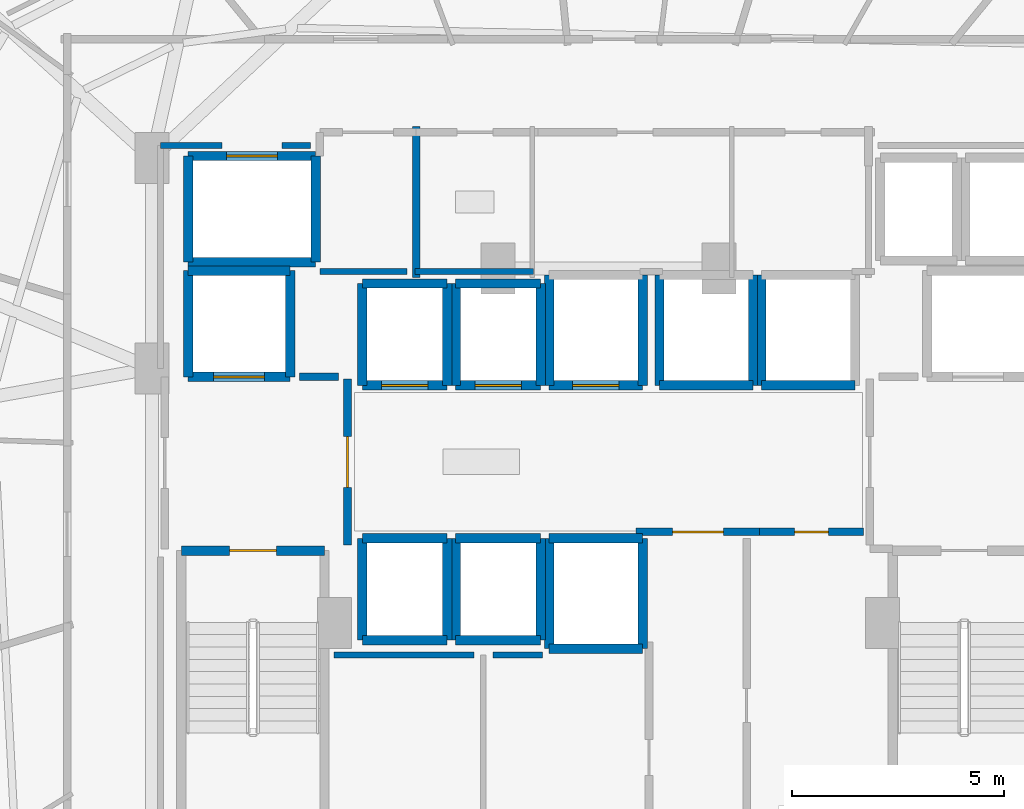
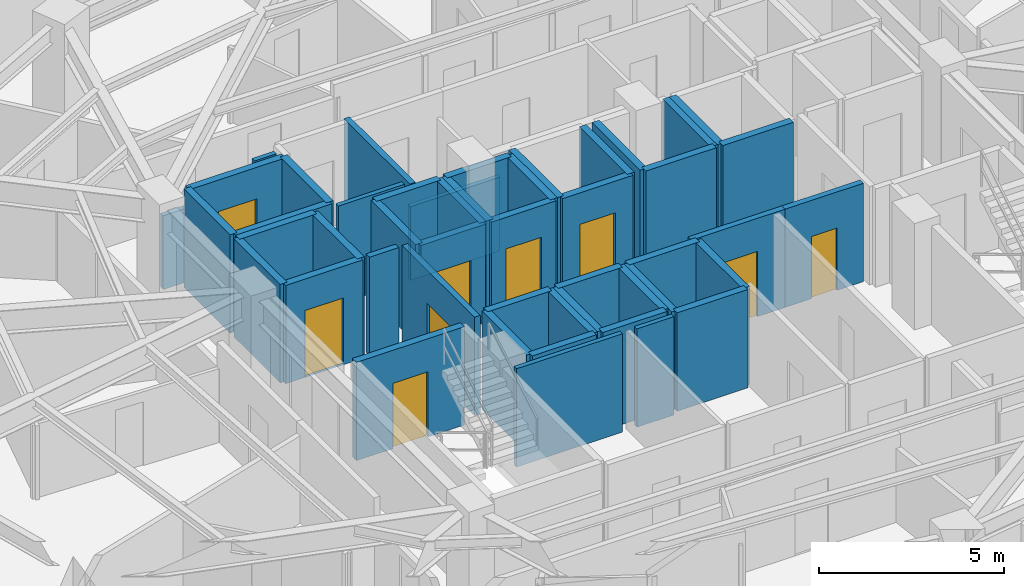
# One storey, part 23 of 29: 48 walls, 9 doors, 9 openings.
"""IFC4 building model written with IfcOpenShell, lengths in metres."""

from ifc_helpers import new_model, si_unit, direction, frame, frame_2d, origin, place, context, subcontext, project, spatial, rectangle, extrude, material, layer, layer_set, type_object, element, fill, save


model = new_model("IFC4")

# Units and contexts
model_context = context("Model", 3, precision=1e-05, world=origin(), true_north=direction((0.0, 1.0)))
body_context = subcontext(model_context, "Body", "Model", "MODEL_VIEW")
ifc_project = project(units=[si_unit("LENGTHUNIT", "METRE"), si_unit("AREAUNIT", "SQUARE_METRE"), si_unit("VOLUMEUNIT", "CUBIC_METRE"), si_unit("PLANEANGLEUNIT", "RADIAN"), si_unit("MASSUNIT", "GRAM", prefix="KILO")], contexts=[model_context])

# Site, building, storey
site_placement = place(None, origin())
site = spatial("IfcSite", under=ifc_project, at=site_placement, CompositionType="ELEMENT")
building_placement = place(site_placement, origin())
building = spatial("IfcBuilding", under=site, at=building_placement, Name="Vorneva Point Tower", CompositionType="ELEMENT")
storey_placement = place(building_placement, frame((0.0, 0.0, 117.300048828125)))
storey = spatial("IfcBuildingStorey", under=building, at=storey_placement, Name="L31", CompositionType="ELEMENT", Elevation=117.300048828125)

# Wall, opening, door
ifc_material_1 = material(Name="Concrete B60 (C50/60)", Category="concrete")
ifc_layer_1 = layer(ifc_material_1, 0.5)
ifc_layer_set_1 = layer_set([ifc_layer_1], Name="Concrete B60 (C50/60)")
wall_type_1 = type_object("IfcWallType", Name="WL-CORE-500", PredefinedType="SHEAR", material=ifc_layer_set_1)
wall_1_placement = place(storey_placement, frame((28.10009765625, 28.0, 0.0), z_axis=(0.0, 0.0, 1.0), x_axis=(1.0, 0.0, 0.0)))
wall_1 = element("IfcWall", 1, at=wall_1_placement, inside=storey, type_object=wall_type_1, Name="L31 Lift FFL1 Shaft Wall -Y", PredefinedType="SHEAR", context=body_context, shape_type="SweptSolid", body=[
    extrude(rectangle(XDim=2.39990234375, YDim=0.219970703125, at=frame_2d((1.199951171875, 0.0))), origin(), (0.0, 0.0, 1.0), 3.239990234375),
])
opening_1_placement = place(wall_1_placement, frame((0.60009765625, 0.0, 0.0)))
opening_1 = element("IfcOpeningElement", 2, at=opening_1_placement, cuts=wall_1, Name="Opening LD-02", PredefinedType="OPENING", context=body_context, shape_type="SweptSolid", body=[
    extrude(rectangle(XDim=1.199951171875, YDim=2.199951171875, at=frame_2d((0.60009765625, 1.10009765625))), frame((0.0, 0.125, 0.0), z_axis=(0.0, -1.0, 0.0), x_axis=(1.0, 0.0, 0.0)), (0.0, 0.0, 1.0), 0.249755859375),
])
ifc_material_2 = material(Name="Brushed stainless steel S304", Category="steel")
door_type_1 = type_object("IfcDoorType", Name="LD-FIRE-1200", OperationType="SLIDING_TO_LEFT", PredefinedType="DOOR", material=ifc_material_2)
door_1_placement = place(opening_1_placement, origin())
door_1 = element("IfcDoor", 3, at=door_1_placement, inside=storey, type_object=door_type_1, Name="L31 Lift FFL1 Sliding Landing Door", OperationType="SLIDING_TO_LEFT", OverallHeight=2.199951171875, OverallWidth=1.199951171875, PredefinedType="DOOR", context=body_context, shape_type="SweptSolid", body=[
    extrude(rectangle(XDim=1.199951171875, YDim=2.199951171875, at=frame_2d((0.60009765625, 1.10009765625))), frame((0.0, 0.02490234375, 0.0), z_axis=(0.0, -1.0, 0.0), x_axis=(1.0, 0.0, 0.0)), (0.0, 0.0, 1.0), 0.050048828125),
])
fill(opening_1, door_1)

# Walls
wall_2_placement = place(storey_placement, frame((30.5, 28.0, 0.0), z_axis=(0.0, 0.0, 1.0), x_axis=(0.0, 1.0, 0.0)))
element("IfcWall", 4, at=wall_2_placement, inside=storey, type_object=wall_type_1, Name="L31 Lift FFL1 Shaft Wall +X", PredefinedType="SHEAR", context=body_context, shape_type="SweptSolid", body=[
    extrude(rectangle(XDim=2.5, YDim=0.219970703125, at=frame_2d((1.25, 0.0))), origin(), (0.0, 0.0, 1.0), 3.239990234375),
])
wall_3_placement = place(storey_placement, frame((30.5, 30.5, 0.0), z_axis=(0.0, 0.0, 1.0), x_axis=(-1.0, 0.0, 0.0)))
element("IfcWall", 5, at=wall_3_placement, inside=storey, type_object=wall_type_1, Name="L31 Lift FFL1 Shaft Wall +Y", PredefinedType="SHEAR", context=body_context, shape_type="SweptSolid", body=[
    extrude(rectangle(XDim=2.39990234375, YDim=0.219970703125, at=frame_2d((1.199951171875, 0.0))), origin(), (0.0, 0.0, 1.0), 3.239990234375),
])
wall_4_placement = place(storey_placement, frame((28.10009765625, 30.5, 0.0), z_axis=(0.0, 0.0, 1.0), x_axis=(0.0, -1.0, 0.0)))
element("IfcWall", 6, at=wall_4_placement, inside=storey, type_object=wall_type_1, Name="L31 Lift FFL1 Shaft Wall -X", PredefinedType="SHEAR", context=body_context, shape_type="SweptSolid", body=[
    extrude(rectangle(XDim=2.5, YDim=0.219970703125, at=frame_2d((1.25, 0.0))), origin(), (0.0, 0.0, 1.0), 3.239990234375),
])
ifc_material_3 = material(Name="Fire-rated acoustic gypsum stud partition", Category="gypsum")
ifc_layer_2 = layer(ifc_material_3, 0.139892578125)
ifc_layer_set_2 = layer_set([ifc_layer_2], Name="Fire-rated acoustic gypsum stud partition")
wall_type_2 = type_object("IfcWallType", Name="WL-PART-140", PredefinedType="PARTITIONING", material=ifc_layer_set_2)
wall_5_placement = place(storey_placement, frame((31.199951171875, 30.47998046875, 0.0), z_axis=(0.0, 0.0, 1.0), x_axis=(1.0, 0.0, 0.0)))
element("IfcWall", 7, at=wall_5_placement, inside=storey, type_object=wall_type_2, Name="L31 Interior Closure Partition 092", PredefinedType="PARTITIONING", context=body_context, shape_type="SweptSolid", body=[
    extrude(rectangle(XDim=2.050048828125, YDim=0.139892578125, at=frame_2d((1.02490234375, 0.0))), origin(), (0.0, 0.0, 1.0), 3.239990234375),
])
wall_6_placement = place(storey_placement, frame((33.43994140625, 30.47998046875, 0.0), z_axis=(0.0, 0.0, 1.0), x_axis=(1.0, 0.0, 0.0)))
element("IfcWall", 8, at=wall_6_placement, inside=storey, type_object=wall_type_2, Name="L31 Interior Closure Partition 093", PredefinedType="PARTITIONING", context=body_context, shape_type="SweptSolid", body=[
    extrude(rectangle(XDim=2.7900390625, YDim=0.139892578125, at=frame_2d((1.39501953125, 0.0))), origin(), (0.0, 0.0, 1.0), 2.431884765625),
])
wall_7_placement = place(storey_placement, frame((34.830078125, 21.449951171875, 0.0), z_axis=(0.0, 0.0, 1.0), x_axis=(-1.0, 0.0, 0.0)))
element("IfcWall", 9, at=wall_7_placement, inside=storey, type_object=wall_type_2, Name="L31 Interior Closure Partition 097", PredefinedType="PARTITIONING", context=body_context, shape_type="SweptSolid", body=[
    extrude(rectangle(XDim=3.300048828125, YDim=0.139892578125, at=frame_2d((1.64990234375, 0.0))), origin(), (0.0, 0.0, 1.0), 3.239990234375),
])
wall_8_placement = place(storey_placement, frame((36.43896484375, 21.449951171875, 0.0), z_axis=(0.0, 0.0, 1.0), x_axis=(-1.0, 0.0, 0.0)))
element("IfcWall", 10, at=wall_8_placement, inside=storey, type_object=wall_type_2, Name="L31 Interior Closure Partition 098", PredefinedType="PARTITIONING", context=body_context, shape_type="SweptSolid", body=[
    extrude(rectangle(XDim=1.158935546875, YDim=0.139892578125, at=frame_2d((0.57958984375, 0.0))), origin(), (0.0, 0.0, 1.0), 3.239990234375),
])
wall_9_placement = place(storey_placement, frame((27.449951171875, 33.449951171875, 0.0), z_axis=(0.0, 0.0, 1.0), x_axis=(1.0, 0.0, 0.0)))
element("IfcWall", 11, at=wall_9_placement, inside=storey, type_object=wall_type_2, Name="L31 Interior Closure Partition 106", PredefinedType="PARTITIONING", context=body_context, shape_type="SweptSolid", body=[
    extrude(rectangle(XDim=1.444091796875, YDim=0.139892578125, at=frame_2d((0.72216796875, 0.0))), origin(), (0.0, 0.0, 1.0), 2.431884765625),
])
wall_10_placement = place(storey_placement, frame((30.305908203125, 33.449951171875, 0.0), z_axis=(0.0, 0.0, 1.0), x_axis=(1.0, 0.0, 0.0)))
element("IfcWall", 12, at=wall_10_placement, inside=storey, type_object=wall_type_2, Name="L31 Interior Closure Partition 107", PredefinedType="PARTITIONING", context=body_context, shape_type="SweptSolid", body=[
    extrude(rectangle(XDim=0.674072265625, YDim=0.139892578125, at=frame_2d((0.3369140625, 0.0))), origin(), (0.0, 0.0, 1.0), 3.239990234375),
])

# Wall, opening, door
ifc_material_4 = material(Name="Autoclaved aerated concrete blockwork", Category="masonry")
ifc_layer_3 = layer(ifc_material_4, 0.179931640625)
ifc_layer_set_3 = layer_set([ifc_layer_3], Name="Autoclaved aerated concrete blockwork")
wall_type_3 = type_object("IfcWallType", Name="WL-PART-180", PredefinedType="PARTITIONING", material=ifc_layer_set_3)
wall_11_placement = place(storey_placement, frame((31.85009765625, 24.044921875, 0.0), z_axis=(0.0, 0.0, 1.0), x_axis=(0.0, 1.0, 0.0)))
wall_11 = element("IfcWall", 13, at=wall_11_placement, inside=storey, type_object=wall_type_3, Name="L31 Interior Partition 001", PredefinedType="PARTITIONING", context=body_context, shape_type="SweptSolid", body=[
    extrude(rectangle(XDim=3.91015625, YDim=0.179931640625, at=frame_2d((1.955078125, 0.0))), origin(), (0.0, 0.0, 1.0), 3.239990234375),
])
opening_2_placement = place(wall_11_placement, frame((1.35498046875, 0.0, 0.0)))
opening_2 = element("IfcOpeningElement", 14, at=opening_2_placement, cuts=wall_11, Name="Opening FD-02", PredefinedType="OPENING", context=body_context, shape_type="SweptSolid", body=[
    extrude(rectangle(XDim=1.199951171875, YDim=2.14990234375, at=frame_2d((0.60009765625, 1.074951171875))), frame((0.0, 0.10498046875, 0.0), z_axis=(0.0, -1.0, 0.0), x_axis=(1.0, 0.0, 0.0)), (0.0, 0.0, 1.0), 0.209716796875),
])
ifc_material_5 = material(Name="Fire-rated powder-coated steel", Category="steel")
door_type_2 = type_object("IfcDoorType", Name="DR-FFL-1200", OperationType="NOTDEFINED", PredefinedType="DOOR", material=ifc_material_5)
door_2_placement = place(opening_2_placement, origin())
door_2 = element("IfcDoor", 15, at=door_2_placement, inside=storey, type_object=door_type_2, Name="L31 Door West Firefighting Lobby / Central Lift Lobby", OperationType="SINGLE_SWING_RIGHT", OverallHeight=2.14990234375, OverallWidth=1.199951171875, PredefinedType="DOOR", context=body_context, shape_type="SweptSolid", body=[
    extrude(rectangle(XDim=1.199951171875, YDim=2.14990234375, at=frame_2d((0.60009765625, 1.074951171875))), frame((0.0, 0.02490234375, 0.0), z_axis=(0.0, -1.0, 0.0), x_axis=(1.0, 0.0, 0.0)), (0.0, 0.0, 1.0), 0.050048828125),
])
fill(opening_2, door_2)

# Wall
wall_12_placement = place(storey_placement, frame((33.469970703125, 30.340087890625, 0.0), z_axis=(0.0, 0.0, 1.0), x_axis=(0.0, 1.0, 0.0)))
element("IfcWall", 16, at=wall_12_placement, inside=storey, type_object=wall_type_3, Name="L31 Interior Partition 006", PredefinedType="PARTITIONING", context=body_context, shape_type="SweptSolid", body=[
    extrude(rectangle(XDim=3.559814453125, YDim=0.179931640625, at=frame_2d((1.77978515625, 0.0))), origin(), (0.0, 0.0, 1.0), 3.239990234375),
])

# Wall, opening, door
wall_13_placement = place(storey_placement, frame((38.64501953125, 24.35009765625, 0.0), z_axis=(0.0, 0.0, 1.0), x_axis=(1.0, 0.0, 0.0)))
wall_13 = element("IfcWall", 17, at=wall_13_placement, inside=storey, type_object=wall_type_3, Name="L31 Interior Partition 009", PredefinedType="PARTITIONING", context=body_context, shape_type="SweptSolid", body=[
    extrude(rectangle(XDim=2.909912109375, YDim=0.179931640625, at=frame_2d((1.455078125, 0.0))), origin(), (0.0, 0.0, 1.0), 3.239990234375),
])
opening_3_placement = place(wall_13_placement, frame((0.85498046875, 0.0, 0.0)))
opening_3 = element("IfcOpeningElement", 18, at=opening_3_placement, cuts=wall_13, Name="Opening FD-02", PredefinedType="OPENING", context=body_context, shape_type="SweptSolid", body=[
    extrude(rectangle(XDim=1.199951171875, YDim=2.14990234375, at=frame_2d((0.60009765625, 1.074951171875))), frame((0.0, 0.10498046875, 0.0), z_axis=(0.0, -1.0, 0.0), x_axis=(1.0, 0.0, 0.0)), (0.0, 0.0, 1.0), 0.209716796875),
])
door_3_placement = place(opening_3_placement, origin())
door_3 = element("IfcDoor", 19, at=door_3_placement, inside=storey, type_object=door_type_2, Name="L31 Door Central Lift Lobby / Core Service Lobby", OperationType="SINGLE_SWING_LEFT", OverallHeight=2.14990234375, OverallWidth=1.199951171875, PredefinedType="DOOR", context=body_context, shape_type="SweptSolid", body=[
    extrude(rectangle(XDim=1.199951171875, YDim=2.14990234375, at=frame_2d((0.60009765625, 1.074951171875))), frame((0.0, 0.02490234375, 0.0), z_axis=(0.0, -1.0, 0.0), x_axis=(1.0, 0.0, 0.0)), (0.0, 0.0, 1.0), 0.050048828125),
])
fill(opening_3, door_3)

wall_14_placement = place(storey_placement, frame((41.554931640625, 24.35009765625, 0.0), z_axis=(0.0, 0.0, 1.0), x_axis=(1.0, 0.0, 0.0)))
wall_14 = element("IfcWall", 20, at=wall_14_placement, inside=storey, type_object=wall_type_3, Name="L31 Interior Partition 010", PredefinedType="PARTITIONING", context=body_context, shape_type="SweptSolid", body=[
    extrude(rectangle(XDim=2.445068359375, YDim=0.179931640625, at=frame_2d((1.22265625, 0.0))), origin(), (0.0, 0.0, 1.0), 3.239990234375),
])
opening_4_placement = place(wall_14_placement, frame((0.822509765625, 0.0, 0.0)))
opening_4 = element("IfcOpeningElement", 21, at=opening_4_placement, cuts=wall_14, Name="Opening RD-01", PredefinedType="OPENING", context=body_context, shape_type="SweptSolid", body=[
    extrude(rectangle(XDim=0.800048828125, YDim=2.050048828125, at=frame_2d((0.39990234375, 1.02490234375))), frame((0.0, 0.10498046875, 0.0), z_axis=(0.0, -1.0, 0.0), x_axis=(1.0, 0.0, 0.0)), (0.0, 0.0, 1.0), 0.209716796875),
])
door_type_3 = type_object("IfcDoorType", Name="DR-RSR-800", OperationType="SINGLE_SWING_LEFT", PredefinedType="DOOR", material=ifc_material_5)
door_4_placement = place(opening_4_placement, origin())
door_4 = element("IfcDoor", 22, at=door_4_placement, inside=storey, type_object=door_type_3, Name="L31 Door Central Lift Lobby / Electrical Riser", OperationType="SINGLE_SWING_RIGHT", OverallHeight=2.050048828125, OverallWidth=0.800048828125, PredefinedType="DOOR", context=body_context, shape_type="SweptSolid", body=[
    extrude(rectangle(XDim=0.800048828125, YDim=2.050048828125, at=frame_2d((0.39990234375, 1.02490234375))), frame((0.0, 0.02490234375, 0.0), z_axis=(0.0, -1.0, 0.0), x_axis=(1.0, 0.0, 0.0)), (0.0, 0.0, 1.0), 0.050048828125),
])
fill(opening_4, door_4)

# Wall
wall_15_placement = place(storey_placement, frame((31.635009765625, 28.0, 0.0), z_axis=(0.0, 0.0, 1.0), x_axis=(-1.0, 0.0, 0.0)))
element("IfcWall", 23, at=wall_15_placement, inside=storey, type_object=wall_type_3, Name="L31 Interior Closure Partition 090", PredefinedType="PARTITIONING", context=body_context, shape_type="SweptSolid", body=[
    extrude(rectangle(XDim=0.9150390625, YDim=0.179931640625, at=frame_2d((0.45751953125, 0.0))), origin(), (0.0, 0.0, 1.0), 3.239990234375),
])

# Wall, opening, door
ifc_material_6 = material(Name="Concrete B50 (C40/50)", Category="concrete")
ifc_layer_4 = layer(ifc_material_6, 0.219970703125)
ifc_layer_set_4 = layer_set([ifc_layer_4], Name="Concrete B50 (C40/50)")
wall_type_4 = type_object("IfcWallType", Name="WL-SHFT-220", PredefinedType="SOLIDWALL", material=ifc_layer_set_4)
wall_16_placement = place(storey_placement, frame((27.93994140625, 23.909912109375, 0.0), z_axis=(0.0, 0.0, 1.0), x_axis=(1.0, 0.0, 0.0)))
wall_16 = element("IfcWall", 24, at=wall_16_placement, inside=storey, type_object=wall_type_4, Name="L31 Exit Stair ST1 Shaft Wall near", PredefinedType="SOLIDWALL", context=body_context, shape_type="SweptSolid", body=[
    extrude(rectangle(XDim=3.3701171875, YDim=0.219970703125, at=frame_2d((1.68505859375, 0.0))), origin(), (0.0, 0.0, 1.0), 3.239990234375),
])
opening_5_placement = place(wall_16_placement, frame((1.135009765625, 0.0, 0.0)))
opening_5 = element("IfcOpeningElement", 25, at=opening_5_placement, cuts=wall_16, Name="Opening FD-01", PredefinedType="OPENING", context=body_context, shape_type="SweptSolid", body=[
    extrude(rectangle(XDim=1.10009765625, YDim=2.14990234375, at=frame_2d((0.550048828125, 1.074951171875))), frame((0.0, 0.125, 0.0), z_axis=(0.0, -1.0, 0.0), x_axis=(1.0, 0.0, 0.0)), (0.0, 0.0, 1.0), 0.249755859375),
])
door_type_4 = type_object("IfcDoorType", Name="DR-STAIR-1100", OperationType="NOTDEFINED", PredefinedType="DOOR", material=ifc_material_5)
door_5_placement = place(opening_5_placement, origin())
door_5 = element("IfcDoor", 26, at=door_5_placement, inside=storey, type_object=door_type_4, Name="L31 Exit Stair ST1 Fire Door", OperationType="SINGLE_SWING_LEFT", OverallHeight=2.14990234375, OverallWidth=1.10009765625, PredefinedType="DOOR", context=body_context, shape_type="SweptSolid", body=[
    extrude(rectangle(XDim=1.10009765625, YDim=2.14990234375, at=frame_2d((0.550048828125, 1.074951171875))), frame((0.0, 0.02490234375, 0.0), z_axis=(0.0, -1.0, 0.0), x_axis=(1.0, 0.0, 0.0)), (0.0, 0.0, 1.0), 0.050048828125),
])
fill(opening_5, door_5)

wall_17_placement = place(storey_placement, frame((32.199951171875, 27.800048828125, 0.0), z_axis=(0.0, 0.0, 1.0), x_axis=(1.0, 0.0, 0.0)))
wall_17 = element("IfcWall", 27, at=wall_17_placement, inside=storey, type_object=wall_type_4, Name="L31 Lift PL1 Shaft Wall -Y", PredefinedType="SOLIDWALL", context=body_context, shape_type="SweptSolid", body=[
    extrude(rectangle(XDim=2.0, YDim=0.219970703125, at=frame_2d((1.0, 0.0))), origin(), (0.0, 0.0, 1.0), 3.239990234375),
])
opening_6_placement = place(wall_17_placement, frame((0.449951171875, 0.0, 0.0)))
opening_6 = element("IfcOpeningElement", 28, at=opening_6_placement, cuts=wall_17, Name="Opening LD-01", PredefinedType="OPENING", context=body_context, shape_type="SweptSolid", body=[
    extrude(rectangle(XDim=1.10009765625, YDim=2.199951171875, at=frame_2d((0.550048828125, 1.10009765625))), frame((0.0, 0.125, 0.0), z_axis=(0.0, -1.0, 0.0), x_axis=(1.0, 0.0, 0.0)), (0.0, 0.0, 1.0), 0.249755859375),
])
door_type_5 = type_object("IfcDoorType", Name="LD-PASS-1100", OperationType="SLIDING_TO_LEFT", PredefinedType="DOOR", material=ifc_material_2)
door_6_placement = place(opening_6_placement, origin())
door_6 = element("IfcDoor", 29, at=door_6_placement, inside=storey, type_object=door_type_5, Name="L31 Lift PL1 Sliding Landing Door", OperationType="SLIDING_TO_LEFT", OverallHeight=2.199951171875, OverallWidth=1.10009765625, PredefinedType="DOOR", context=body_context, shape_type="SweptSolid", body=[
    extrude(rectangle(XDim=1.10009765625, YDim=2.199951171875, at=frame_2d((0.550048828125, 1.10009765625))), frame((0.0, 0.02490234375, 0.0), z_axis=(0.0, -1.0, 0.0), x_axis=(1.0, 0.0, 0.0)), (0.0, 0.0, 1.0), 0.050048828125),
])
fill(opening_6, door_6)

# Walls
wall_18_placement = place(storey_placement, frame((34.199951171875, 27.800048828125, 0.0), z_axis=(0.0, 0.0, 1.0), x_axis=(0.0, 1.0, 0.0)))
element("IfcWall", 30, at=wall_18_placement, inside=storey, type_object=wall_type_4, Name="L31 Lift PL1 Shaft Wall +X", PredefinedType="SOLIDWALL", context=body_context, shape_type="SweptSolid", body=[
    extrude(rectangle(XDim=2.39990234375, YDim=0.219970703125, at=frame_2d((1.199951171875, 0.0))), origin(), (0.0, 0.0, 1.0), 3.239990234375),
])
wall_19_placement = place(storey_placement, frame((34.199951171875, 30.199951171875, 0.0), z_axis=(0.0, 0.0, 1.0), x_axis=(-1.0, 0.0, 0.0)))
element("IfcWall", 31, at=wall_19_placement, inside=storey, type_object=wall_type_4, Name="L31 Lift PL1 Shaft Wall +Y", PredefinedType="SOLIDWALL", context=body_context, shape_type="SweptSolid", body=[
    extrude(rectangle(XDim=2.0, YDim=0.219970703125, at=frame_2d((1.0, 0.0))), origin(), (0.0, 0.0, 1.0), 3.239990234375),
])
wall_20_placement = place(storey_placement, frame((32.199951171875, 30.199951171875, 0.0), z_axis=(0.0, 0.0, 1.0), x_axis=(0.0, -1.0, 0.0)))
element("IfcWall", 32, at=wall_20_placement, inside=storey, type_object=wall_type_4, Name="L31 Lift PL1 Shaft Wall -X", PredefinedType="SOLIDWALL", context=body_context, shape_type="SweptSolid", body=[
    extrude(rectangle(XDim=2.39990234375, YDim=0.219970703125, at=frame_2d((1.199951171875, 0.0))), origin(), (0.0, 0.0, 1.0), 3.239990234375),
])

# Wall, opening, door
wall_21_placement = place(storey_placement, frame((34.39990234375, 27.800048828125, 0.0), z_axis=(0.0, 0.0, 1.0), x_axis=(1.0, 0.0, 0.0)))
wall_21 = element("IfcWall", 33, at=wall_21_placement, inside=storey, type_object=wall_type_4, Name="L31 Lift PL2 Shaft Wall -Y", PredefinedType="SOLIDWALL", context=body_context, shape_type="SweptSolid", body=[
    extrude(rectangle(XDim=2.0, YDim=0.219970703125, at=frame_2d((1.0, 0.0))), origin(), (0.0, 0.0, 1.0), 3.239990234375),
])
opening_7_placement = place(wall_21_placement, frame((0.449951171875, 0.0, 0.0)))
opening_7 = element("IfcOpeningElement", 34, at=opening_7_placement, cuts=wall_21, Name="Opening LD-01", PredefinedType="OPENING", context=body_context, shape_type="SweptSolid", body=[
    extrude(rectangle(XDim=1.10009765625, YDim=2.199951171875, at=frame_2d((0.550048828125, 1.10009765625))), frame((0.0, 0.125, 0.0), z_axis=(0.0, -1.0, 0.0), x_axis=(1.0, 0.0, 0.0)), (0.0, 0.0, 1.0), 0.249755859375),
])
door_7_placement = place(opening_7_placement, origin())
door_7 = element("IfcDoor", 35, at=door_7_placement, inside=storey, type_object=door_type_5, Name="L31 Lift PL2 Sliding Landing Door", OperationType="SLIDING_TO_LEFT", OverallHeight=2.199951171875, OverallWidth=1.10009765625, PredefinedType="DOOR", context=body_context, shape_type="SweptSolid", body=[
    extrude(rectangle(XDim=1.10009765625, YDim=2.199951171875, at=frame_2d((0.550048828125, 1.10009765625))), frame((0.0, 0.02490234375, 0.0), z_axis=(0.0, -1.0, 0.0), x_axis=(1.0, 0.0, 0.0)), (0.0, 0.0, 1.0), 0.050048828125),
])
fill(opening_7, door_7)

# Walls
wall_22_placement = place(storey_placement, frame((36.39990234375, 27.800048828125, 0.0), z_axis=(0.0, 0.0, 1.0), x_axis=(0.0, 1.0, 0.0)))
element("IfcWall", 36, at=wall_22_placement, inside=storey, type_object=wall_type_4, Name="L31 Lift PL2 Shaft Wall +X", PredefinedType="SOLIDWALL", context=body_context, shape_type="SweptSolid", body=[
    extrude(rectangle(XDim=2.39990234375, YDim=0.219970703125, at=frame_2d((1.199951171875, 0.0))), origin(), (0.0, 0.0, 1.0), 3.239990234375),
])
wall_23_placement = place(storey_placement, frame((36.39990234375, 30.199951171875, 0.0), z_axis=(0.0, 0.0, 1.0), x_axis=(-1.0, 0.0, 0.0)))
element("IfcWall", 37, at=wall_23_placement, inside=storey, type_object=wall_type_4, Name="L31 Lift PL2 Shaft Wall +Y", PredefinedType="SOLIDWALL", context=body_context, shape_type="SweptSolid", body=[
    extrude(rectangle(XDim=2.0, YDim=0.219970703125, at=frame_2d((1.0, 0.0))), origin(), (0.0, 0.0, 1.0), 3.239990234375),
])
wall_24_placement = place(storey_placement, frame((34.39990234375, 30.199951171875, 0.0), z_axis=(0.0, 0.0, 1.0), x_axis=(0.0, -1.0, 0.0)))
element("IfcWall", 38, at=wall_24_placement, inside=storey, type_object=wall_type_4, Name="L31 Lift PL2 Shaft Wall -X", PredefinedType="SOLIDWALL", context=body_context, shape_type="SweptSolid", body=[
    extrude(rectangle(XDim=2.39990234375, YDim=0.219970703125, at=frame_2d((1.199951171875, 0.0))), origin(), (0.0, 0.0, 1.0), 3.239990234375),
])

# Wall, opening, door
wall_25_placement = place(storey_placement, frame((36.60009765625, 27.800048828125, 0.0), z_axis=(0.0, 0.0, 1.0), x_axis=(1.0, 0.0, 0.0)))
wall_25 = element("IfcWall", 39, at=wall_25_placement, inside=storey, type_object=wall_type_4, Name="L31 Lift PL3 Shaft Wall -Y", PredefinedType="SOLIDWALL", context=body_context, shape_type="SweptSolid", body=[
    extrude(rectangle(XDim=2.199951171875, YDim=0.219970703125, at=frame_2d((1.10009765625, 0.0))), origin(), (0.0, 0.0, 1.0), 3.239990234375),
])
opening_8_placement = place(wall_25_placement, frame((0.550048828125, 0.0, 0.0)))
opening_8 = element("IfcOpeningElement", 40, at=opening_8_placement, cuts=wall_25, Name="Opening LD-01", PredefinedType="OPENING", context=body_context, shape_type="SweptSolid", body=[
    extrude(rectangle(XDim=1.10009765625, YDim=2.199951171875, at=frame_2d((0.550048828125, 1.10009765625))), frame((0.0, 0.125, 0.0), z_axis=(0.0, -1.0, 0.0), x_axis=(1.0, 0.0, 0.0)), (0.0, 0.0, 1.0), 0.249755859375),
])
door_8_placement = place(opening_8_placement, origin())
door_8 = element("IfcDoor", 41, at=door_8_placement, inside=storey, type_object=door_type_5, Name="L31 Lift PL3 Sliding Landing Door", OperationType="SLIDING_TO_LEFT", OverallHeight=2.199951171875, OverallWidth=1.10009765625, PredefinedType="DOOR", context=body_context, shape_type="SweptSolid", body=[
    extrude(rectangle(XDim=1.10009765625, YDim=2.199951171875, at=frame_2d((0.550048828125, 1.10009765625))), frame((0.0, 0.02490234375, 0.0), z_axis=(0.0, -1.0, 0.0), x_axis=(1.0, 0.0, 0.0)), (0.0, 0.0, 1.0), 0.050048828125),
])
fill(opening_8, door_8)

# Walls
for number, where, z_axis, x_axis, name in (
    (42, (38.800048828125, 27.800048828125, 0.0), (0.0, 0.0, 1.0), (0.0, 1.0, 0.0), "L31 Lift PL3 Shaft Wall +X"),
    (43, (36.60009765625, 30.39990234375, 0.0), (0.0, 0.0, 1.0), (0.0, -1.0, 0.0), "L31 Lift PL3 Shaft Wall -X"),
):
    element("IfcWall", number, at=place(storey_placement, frame(where, z_axis=z_axis, x_axis=x_axis)), inside=storey, type_object=wall_type_4, Name=name, PredefinedType="SOLIDWALL", context=body_context, shape_type="SweptSolid", body=[
        extrude(rectangle(XDim=2.599853515625, YDim=0.219970703125, at=frame_2d((1.2998046875, 0.0))), origin(), (0.0, 0.0, 1.0), 3.239990234375),
    ])
wall_26_placement = place(storey_placement, frame((32.199951171875, 21.800048828125, 0.0), z_axis=(0.0, 0.0, 1.0), x_axis=(1.0, 0.0, 0.0)))
element("IfcWall", 44, at=wall_26_placement, inside=storey, type_object=wall_type_4, Name="L31 Lift PL4 Shaft Wall -Y", PredefinedType="SOLIDWALL", context=body_context, shape_type="SweptSolid", body=[
    extrude(rectangle(XDim=2.0, YDim=0.219970703125, at=frame_2d((1.0, 0.0))), origin(), (0.0, 0.0, 1.0), 3.239990234375),
])
wall_27_placement = place(storey_placement, frame((34.199951171875, 21.800048828125, 0.0), z_axis=(0.0, 0.0, 1.0), x_axis=(0.0, 1.0, 0.0)))
element("IfcWall", 45, at=wall_27_placement, inside=storey, type_object=wall_type_4, Name="L31 Lift PL4 Shaft Wall +X", PredefinedType="SOLIDWALL", context=body_context, shape_type="SweptSolid", body=[
    extrude(rectangle(XDim=2.39990234375, YDim=0.219970703125, at=frame_2d((1.199951171875, 0.0))), origin(), (0.0, 0.0, 1.0), 3.239990234375),
])
wall_28_placement = place(storey_placement, frame((34.199951171875, 24.199951171875, 0.0), z_axis=(0.0, 0.0, 1.0), x_axis=(-1.0, 0.0, 0.0)))
element("IfcWall", 46, at=wall_28_placement, inside=storey, type_object=wall_type_4, Name="L31 Lift PL4 Shaft Wall +Y", PredefinedType="SOLIDWALL", context=body_context, shape_type="SweptSolid", body=[
    extrude(rectangle(XDim=2.0, YDim=0.219970703125, at=frame_2d((1.0, 0.0))), origin(), (0.0, 0.0, 1.0), 3.239990234375),
])
wall_29_placement = place(storey_placement, frame((32.199951171875, 24.199951171875, 0.0), z_axis=(0.0, 0.0, 1.0), x_axis=(0.0, -1.0, 0.0)))
element("IfcWall", 47, at=wall_29_placement, inside=storey, type_object=wall_type_4, Name="L31 Lift PL4 Shaft Wall -X", PredefinedType="SOLIDWALL", context=body_context, shape_type="SweptSolid", body=[
    extrude(rectangle(XDim=2.39990234375, YDim=0.219970703125, at=frame_2d((1.199951171875, 0.0))), origin(), (0.0, 0.0, 1.0), 3.239990234375),
])
wall_30_placement = place(storey_placement, frame((34.39990234375, 21.800048828125, 0.0), z_axis=(0.0, 0.0, 1.0), x_axis=(1.0, 0.0, 0.0)))
element("IfcWall", 48, at=wall_30_placement, inside=storey, type_object=wall_type_4, Name="L31 Lift PL5 Shaft Wall -Y", PredefinedType="SOLIDWALL", context=body_context, shape_type="SweptSolid", body=[
    extrude(rectangle(XDim=2.0, YDim=0.219970703125, at=frame_2d((1.0, 0.0))), origin(), (0.0, 0.0, 1.0), 3.239990234375),
])
wall_31_placement = place(storey_placement, frame((36.39990234375, 21.800048828125, 0.0), z_axis=(0.0, 0.0, 1.0), x_axis=(0.0, 1.0, 0.0)))
element("IfcWall", 49, at=wall_31_placement, inside=storey, type_object=wall_type_4, Name="L31 Lift PL5 Shaft Wall +X", PredefinedType="SOLIDWALL", context=body_context, shape_type="SweptSolid", body=[
    extrude(rectangle(XDim=2.39990234375, YDim=0.219970703125, at=frame_2d((1.199951171875, 0.0))), origin(), (0.0, 0.0, 1.0), 3.239990234375),
])
wall_32_placement = place(storey_placement, frame((36.39990234375, 24.199951171875, 0.0), z_axis=(0.0, 0.0, 1.0), x_axis=(-1.0, 0.0, 0.0)))
element("IfcWall", 50, at=wall_32_placement, inside=storey, type_object=wall_type_4, Name="L31 Lift PL5 Shaft Wall +Y", PredefinedType="SOLIDWALL", context=body_context, shape_type="SweptSolid", body=[
    extrude(rectangle(XDim=2.0, YDim=0.219970703125, at=frame_2d((1.0, 0.0))), origin(), (0.0, 0.0, 1.0), 3.239990234375),
])
wall_33_placement = place(storey_placement, frame((34.39990234375, 24.199951171875, 0.0), z_axis=(0.0, 0.0, 1.0), x_axis=(0.0, -1.0, 0.0)))
element("IfcWall", 51, at=wall_33_placement, inside=storey, type_object=wall_type_4, Name="L31 Lift PL5 Shaft Wall -X", PredefinedType="SOLIDWALL", context=body_context, shape_type="SweptSolid", body=[
    extrude(rectangle(XDim=2.39990234375, YDim=0.219970703125, at=frame_2d((1.199951171875, 0.0))), origin(), (0.0, 0.0, 1.0), 3.239990234375),
])
wall_34_placement = place(storey_placement, frame((36.60009765625, 21.60009765625, 0.0), z_axis=(0.0, 0.0, 1.0), x_axis=(1.0, 0.0, 0.0)))
element("IfcWall", 52, at=wall_34_placement, inside=storey, type_object=wall_type_4, Name="L31 Lift PL6 Shaft Wall -Y", PredefinedType="SOLIDWALL", context=body_context, shape_type="SweptSolid", body=[
    extrude(rectangle(XDim=2.199951171875, YDim=0.219970703125, at=frame_2d((1.10009765625, 0.0))), origin(), (0.0, 0.0, 1.0), 3.239990234375),
])
wall_35_placement = place(storey_placement, frame((38.800048828125, 21.60009765625, 0.0), z_axis=(0.0, 0.0, 1.0), x_axis=(0.0, 1.0, 0.0)))
element("IfcWall", 53, at=wall_35_placement, inside=storey, type_object=wall_type_4, Name="L31 Lift PL6 Shaft Wall +X", PredefinedType="SOLIDWALL", context=body_context, shape_type="SweptSolid", body=[
    extrude(rectangle(XDim=2.599853515625, YDim=0.219970703125, at=frame_2d((1.2998046875, 0.0))), origin(), (0.0, 0.0, 1.0), 3.239990234375),
])
wall_36_placement = place(storey_placement, frame((38.800048828125, 24.199951171875, 0.0), z_axis=(0.0, 0.0, 1.0), x_axis=(-1.0, 0.0, 0.0)))
element("IfcWall", 54, at=wall_36_placement, inside=storey, type_object=wall_type_4, Name="L31 Lift PL6 Shaft Wall +Y", PredefinedType="SOLIDWALL", context=body_context, shape_type="SweptSolid", body=[
    extrude(rectangle(XDim=2.199951171875, YDim=0.219970703125, at=frame_2d((1.10009765625, 0.0))), origin(), (0.0, 0.0, 1.0), 3.239990234375),
])
wall_37_placement = place(storey_placement, frame((36.60009765625, 24.199951171875, 0.0), z_axis=(0.0, 0.0, 1.0), x_axis=(0.0, -1.0, 0.0)))
element("IfcWall", 55, at=wall_37_placement, inside=storey, type_object=wall_type_4, Name="L31 Lift PL6 Shaft Wall -X", PredefinedType="SOLIDWALL", context=body_context, shape_type="SweptSolid", body=[
    extrude(rectangle(XDim=2.599853515625, YDim=0.219970703125, at=frame_2d((1.2998046875, 0.0))), origin(), (0.0, 0.0, 1.0), 3.239990234375),
])
wall_38_placement = place(storey_placement, frame((39.199951171875, 27.800048828125, 0.0), z_axis=(0.0, 0.0, 1.0), x_axis=(1.0, 0.0, 0.0)))
element("IfcWall", 56, at=wall_38_placement, inside=storey, type_object=wall_type_4, Name="L31 Lift PL7 Shaft Wall -Y", PredefinedType="SOLIDWALL", context=body_context, shape_type="SweptSolid", body=[
    extrude(rectangle(XDim=2.199951171875, YDim=0.219970703125, at=frame_2d((1.10009765625, 0.0))), origin(), (0.0, 0.0, 1.0), 3.239990234375),
])
for number, where, z_axis, x_axis, name in (
    (57, (41.39990234375, 27.800048828125, 0.0), (0.0, 0.0, 1.0), (0.0, 1.0, 0.0), "L31 Lift PL7 Shaft Wall +X"),
    (58, (39.199951171875, 30.39990234375, 0.0), (0.0, 0.0, 1.0), (0.0, -1.0, 0.0), "L31 Lift PL7 Shaft Wall -X"),
):
    element("IfcWall", number, at=place(storey_placement, frame(where, z_axis=z_axis, x_axis=x_axis)), inside=storey, type_object=wall_type_4, Name=name, PredefinedType="SOLIDWALL", context=body_context, shape_type="SweptSolid", body=[
        extrude(rectangle(XDim=2.599853515625, YDim=0.219970703125, at=frame_2d((1.2998046875, 0.0))), origin(), (0.0, 0.0, 1.0), 3.239990234375),
    ])
wall_39_placement = place(storey_placement, frame((41.60009765625, 27.800048828125, 0.0), z_axis=(0.0, 0.0, 1.0), x_axis=(1.0, 0.0, 0.0)))
element("IfcWall", 59, at=wall_39_placement, inside=storey, type_object=wall_type_4, Name="L31 Lift PL8 Shaft Wall -Y", PredefinedType="SOLIDWALL", context=body_context, shape_type="SweptSolid", body=[
    extrude(rectangle(XDim=2.199951171875, YDim=0.219970703125, at=frame_2d((1.10009765625, 0.0))), origin(), (0.0, 0.0, 1.0), 3.239990234375),
])
wall_40_placement = place(storey_placement, frame((41.60009765625, 30.39990234375, 0.0), z_axis=(0.0, 0.0, 1.0), x_axis=(0.0, -1.0, 0.0)))
element("IfcWall", 60, at=wall_40_placement, inside=storey, type_object=wall_type_4, Name="L31 Lift PL8 Shaft Wall -X", PredefinedType="SOLIDWALL", context=body_context, shape_type="SweptSolid", body=[
    extrude(rectangle(XDim=2.599853515625, YDim=0.219970703125, at=frame_2d((1.2998046875, 0.0))), origin(), (0.0, 0.0, 1.0), 3.239990234375),
])
wall_41_placement = place(storey_placement, frame((28.10009765625, 30.699951171875, 0.0), z_axis=(0.0, 0.0, 1.0), x_axis=(1.0, 0.0, 0.0)))
element("IfcWall", 61, at=wall_41_placement, inside=storey, type_object=wall_type_4, Name="L31 Lift SVL1 Shaft Wall -Y", PredefinedType="SOLIDWALL", context=body_context, shape_type="SweptSolid", body=[
    extrude(rectangle(XDim=3.0, YDim=0.219970703125, at=frame_2d((1.5, 0.0))), origin(), (0.0, 0.0, 1.0), 3.239990234375),
])
wall_42_placement = place(storey_placement, frame((31.10009765625, 30.699951171875, 0.0), z_axis=(0.0, 0.0, 1.0), x_axis=(0.0, 1.0, 0.0)))
element("IfcWall", 62, at=wall_42_placement, inside=storey, type_object=wall_type_4, Name="L31 Lift SVL1 Shaft Wall +X", PredefinedType="SOLIDWALL", context=body_context, shape_type="SweptSolid", body=[
    extrude(rectangle(XDim=2.5, YDim=0.219970703125, at=frame_2d((1.25, 0.0))), origin(), (0.0, 0.0, 1.0), 3.239990234375),
])

# Wall, opening, door
wall_43_placement = place(storey_placement, frame((31.10009765625, 33.199951171875, 0.0), z_axis=(0.0, 0.0, 1.0), x_axis=(-1.0, 0.0, 0.0)))
wall_43 = element("IfcWall", 63, at=wall_43_placement, inside=storey, type_object=wall_type_4, Name="L31 Lift SVL1 Shaft Wall +Y", PredefinedType="SOLIDWALL", context=body_context, shape_type="SweptSolid", body=[
    extrude(rectangle(XDim=3.0, YDim=0.219970703125, at=frame_2d((1.5, 0.0))), origin(), (0.0, 0.0, 1.0), 3.239990234375),
])
opening_9_placement = place(wall_43_placement, frame((0.89990234375, 0.0, 0.0)))
opening_9 = element("IfcOpeningElement", 64, at=opening_9_placement, cuts=wall_43, Name="Opening LD-02", PredefinedType="OPENING", context=body_context, shape_type="SweptSolid", body=[
    extrude(rectangle(XDim=1.199951171875, YDim=2.199951171875, at=frame_2d((0.60009765625, 1.10009765625))), frame((0.0, 0.125, 0.0), z_axis=(0.0, -1.0, 0.0), x_axis=(1.0, 0.0, 0.0)), (0.0, 0.0, 1.0), 0.249755859375),
])
door_9_placement = place(opening_9_placement, origin())
door_9 = element("IfcDoor", 65, at=door_9_placement, inside=storey, type_object=door_type_1, Name="L31 Lift SVL1 Sliding Landing Door", OperationType="SLIDING_TO_LEFT", OverallHeight=2.199951171875, OverallWidth=1.199951171875, PredefinedType="DOOR", context=body_context, shape_type="SweptSolid", body=[
    extrude(rectangle(XDim=1.199951171875, YDim=2.199951171875, at=frame_2d((0.60009765625, 1.10009765625))), frame((0.0, 0.02490234375, 0.0), z_axis=(0.0, -1.0, 0.0), x_axis=(1.0, 0.0, 0.0)), (0.0, 0.0, 1.0), 0.050048828125),
])
fill(opening_9, door_9)

# Wall
wall_44_placement = place(storey_placement, frame((28.10009765625, 33.199951171875, 0.0), z_axis=(0.0, 0.0, 1.0), x_axis=(0.0, -1.0, 0.0)))
element("IfcWall", 66, at=wall_44_placement, inside=storey, type_object=wall_type_4, Name="L31 Lift SVL1 Shaft Wall -X", PredefinedType="SOLIDWALL", context=body_context, shape_type="SweptSolid", body=[
    extrude(rectangle(XDim=2.5, YDim=0.219970703125, at=frame_2d((1.25, 0.0))), origin(), (0.0, 0.0, 1.0), 3.239990234375),
])

save(model, "model.ifc")
